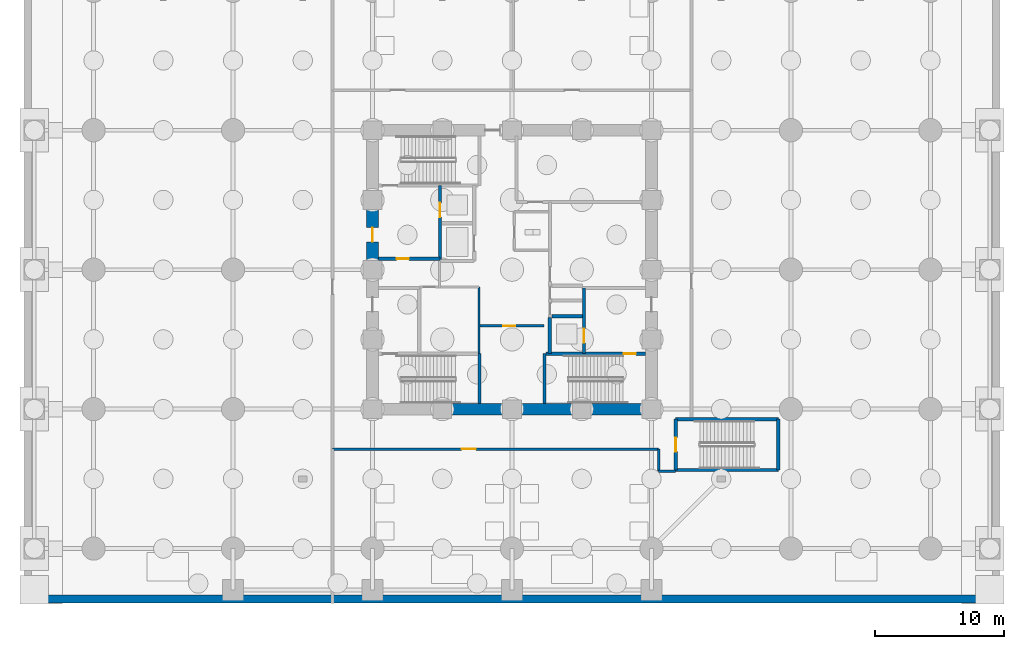
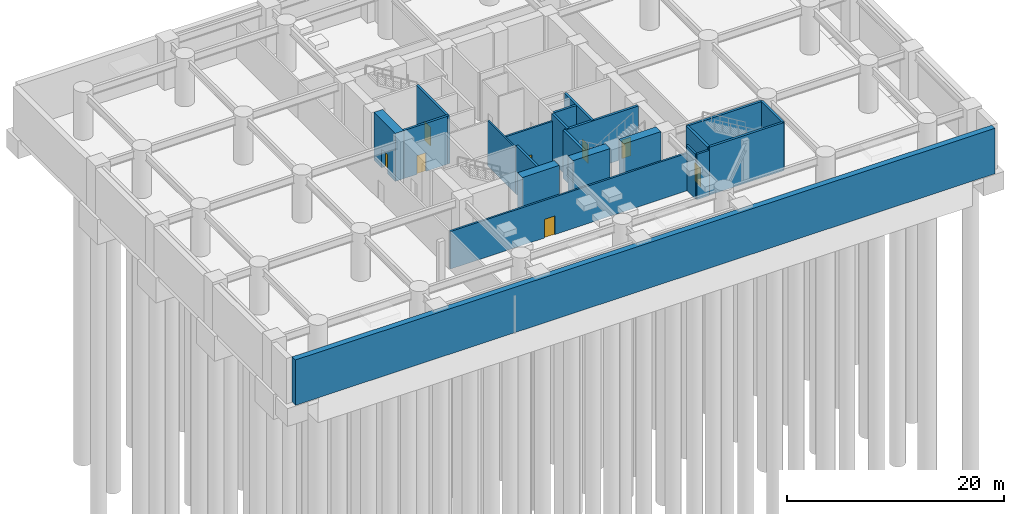
# One storey, part 4 of 9: 22 walls, 8 doors, 8 openings.
"""IFC4 building model written with IfcOpenShell, lengths in metres."""

from ifc_helpers import new_model, si_unit, direction, frame, frame_2d, origin, place, context, subcontext, project, spatial, rectangle, extrude, material, layer, layer_set, type_object, element, fill, save


model = new_model("IFC4")

# Units and contexts
model_context = context("Model", 3, precision=1e-05, world=origin(), true_north=direction((0.0, 1.0)))
body_context = subcontext(model_context, "Body", "Model", "MODEL_VIEW")
ifc_project = project(units=[si_unit("LENGTHUNIT", "METRE"), si_unit("AREAUNIT", "SQUARE_METRE"), si_unit("VOLUMEUNIT", "CUBIC_METRE"), si_unit("PLANEANGLEUNIT", "RADIAN"), si_unit("MASSUNIT", "GRAM", prefix="KILO")], contexts=[model_context])

# Site, building, storey
site_placement = place(None, origin())
site = spatial("IfcSite", under=ifc_project, at=site_placement, CompositionType="ELEMENT")
building_placement = place(site_placement, origin())
building = spatial("IfcBuilding", under=site, at=building_placement, Name="Surkhivell Harbour Commons", CompositionType="ELEMENT")
storey_placement = place(building_placement, frame((0.0, 0.0, -5.39990234375)))
storey = spatial("IfcBuildingStorey", under=building, at=storey_placement, Name="B1", CompositionType="ELEMENT", Elevation=-5.39990234375)

# Walls
ifc_material_1 = material(Name="Concrete C80/95", Category="concrete")
ifc_layer_1 = layer(ifc_material_1, 0.89990234375)
ifc_layer_set_1 = layer_set([ifc_layer_1], Name="Concrete C80/95")
wall_type_1 = type_object("IfcWallType", Name="WAL-CORE-900", PredefinedType="SHEAR", material=ifc_layer_set_1)
for number, where, z_axis, x_axis, name in (
    (1, (-4.6650390625, -10.800048828125, 0.0), (0.0, 0.0, 1.0), (1.0, 0.0, 0.0), "B1 Core Shear Wall South 2"),
    (2, (0.735107421875, -10.800048828125, 0.0), (0.0, 0.0, 1.0), (1.0, 0.0, 0.0), "B1 Core Shear Wall South 3"),
):
    element("IfcWall", number, at=place(storey_placement, frame(where, z_axis=z_axis, x_axis=x_axis)), inside=storey, type_object=wall_type_1, Name=name, PredefinedType="SHEAR", context=body_context, shape_type="SweptSolid", body=[
        extrude(rectangle(XDim=3.929931640625, YDim=0.89990234375, at=frame_2d((1.96484375, 0.0))), origin(), (0.0, 0.0, 1.0), 5.39990234375),
    ])

# Wall, opening, door
wall_1_placement = place(storey_placement, frame((-10.800048828125, 0.735107421875, 0.0), z_axis=(0.0, 0.0, 1.0), x_axis=(0.0, 1.0, 0.0)))
wall_1 = element("IfcWall", 3, at=wall_1_placement, inside=storey, type_object=wall_type_1, Name="B1 Core Shear Wall West 3", PredefinedType="SHEAR", context=body_context, shape_type="SweptSolid", body=[
    extrude(rectangle(XDim=3.929931640625, YDim=0.89990234375, at=frame_2d((1.96484375, 0.0))), origin(), (0.0, 0.0, 1.0), 5.39990234375),
])
opening_1_placement = place(wall_1_placement, frame((1.4150390625, 0.0, 0.0)))
opening_1 = element("IfcOpeningElement", 4, at=opening_1_placement, cuts=wall_1, Name="Opening ID-1", PredefinedType="OPENING", context=body_context, shape_type="SweptSolid", body=[
    extrude(rectangle(XDim=1.10009765625, YDim=2.10009765625, at=frame_2d((0.550048828125, 1.050048828125))), frame((0.0, 0.4599609375, 0.0), z_axis=(0.0, -1.0, 0.0), x_axis=(1.0, 0.0, 0.0)), (0.0, 0.0, 1.0), 0.919921875),
])
ifc_material_2 = material(Name="Hardwood-veneered fire-rated door leaf", Category="wood")
door_type_1 = type_object("IfcDoorType", Name="DOR-FD120-1100", OperationType="NOTDEFINED", PredefinedType="DOOR", material=ifc_material_2)
door_1_placement = place(opening_1_placement, origin())
door_1 = element("IfcDoor", 5, at=door_1_placement, inside=storey, type_object=door_type_1, Name="B1 Firefighting Lobby 1 Corridor Door", OperationType="SINGLE_SWING_LEFT", OverallHeight=2.10009765625, OverallWidth=1.10009765625, PredefinedType="DOOR", context=body_context, shape_type="SweptSolid", body=[
    extrude(rectangle(XDim=1.10009765625, YDim=2.10009765625, at=frame_2d((0.550048828125, 1.050048828125))), frame((0.0, 0.02490234375, 0.0), z_axis=(0.0, -1.0, 0.0), x_axis=(1.0, 0.0, 0.0)), (0.0, 0.0, 1.0), 0.050048828125),
])
fill(opening_1, door_1)

# Walls
wall_2_placement = place(storey_placement, frame((6.135009765625, -10.800048828125, 0.0), z_axis=(0.0, 0.0, 1.0), x_axis=(1.0, 0.0, 0.0)))
element("IfcWall", 6, at=wall_2_placement, inside=storey, type_object=wall_type_1, Name="B1 Core Shear Wall South 4", PredefinedType="SHEAR", context=body_context, shape_type="SweptSolid", body=[
    extrude(rectangle(XDim=3.929931640625, YDim=0.89990234375, at=frame_2d((1.96484375, 0.0))), origin(), (0.0, 0.0, 1.0), 5.39990234375),
])
ifc_material_3 = material(Name="High-density acoustic blockwork fire partition", Category="masonry")
ifc_layer_2 = layer(ifc_material_3, 0.175048828125)
ifc_layer_set_2 = layer_set([ifc_layer_2], Name="High-density acoustic blockwork fire partition")
wall_type_2 = type_object("IfcWallType", Name="WAL-INT-175", PredefinedType="PARTITIONING", material=ifc_layer_set_2)
wall_3_placement = place(storey_placement, frame((-2.550048828125, -6.510009765625, 0.0), z_axis=(0.0, 0.0, 1.0), x_axis=(0.0, 1.0, 0.0)))
element("IfcWall", 7, at=wall_3_placement, inside=storey, type_object=wall_type_2, Name="B1 Core Service Bay East Wall", PredefinedType="PARTITIONING", context=body_context, shape_type="SweptSolid", body=[
    extrude(rectangle(XDim=5.159912109375, YDim=0.175048828125, at=frame_2d((2.580078125, 0.0))), origin(), (0.0, 0.0, 1.0), 5.099853515625),
])

# Wall, opening, door
ifc_material_4 = material(Name="Autoclaved aerated concrete blockwork and fire plaster", Category="masonry")
ifc_layer_3 = layer(ifc_material_4, 0.199951171875)
ifc_layer_set_3 = layer_set([ifc_layer_3], Name="Autoclaved aerated concrete blockwork and fire plaster")
wall_type_3 = type_object("IfcWallType", Name="WAL-INT-200", PredefinedType="PARTITIONING", material=ifc_layer_set_3)
wall_4_placement = place(storey_placement, frame((-2.47998046875, -4.35009765625, 0.0), z_axis=(0.0, 0.0, 1.0), x_axis=(1.0, 0.0, 0.0)))
wall_4 = element("IfcWall", 8, at=wall_4_placement, inside=storey, type_object=wall_type_3, Name="B1 Core Maintenance Store North Wall", PredefinedType="PARTITIONING", context=body_context, shape_type="SweptSolid", body=[
    extrude(rectangle(XDim=4.9599609375, YDim=0.199951171875, at=frame_2d((2.47998046875, 0.0))), origin(), (0.0, 0.0, 1.0), 5.099853515625),
])
opening_2_placement = place(wall_4_placement, frame((1.800048828125, 0.0, 0.0)))
opening_2 = element("IfcOpeningElement", 9, at=opening_2_placement, cuts=wall_4, Name="Opening ID-4", PredefinedType="OPENING", context=body_context, shape_type="SweptSolid", body=[
    extrude(rectangle(XDim=0.949951171875, YDim=2.10009765625, at=frame_2d((0.47509765625, 1.050048828125))), frame((0.0, 0.10986328125, 0.0), z_axis=(0.0, -1.0, 0.0), x_axis=(1.0, 0.0, 0.0)), (0.0, 0.0, 1.0), 0.219970703125),
])
door_type_2 = type_object("IfcDoorType", Name="DOR-FD60-950", OperationType="NOTDEFINED", PredefinedType="DOOR", material=ifc_material_2)
door_2_placement = place(opening_2_placement, origin())
door_2 = element("IfcDoor", 10, at=door_2_placement, inside=storey, type_object=door_type_2, Name="B1 Maintenance Store Door", OperationType="SINGLE_SWING_LEFT", OverallHeight=2.10009765625, OverallWidth=0.949951171875, PredefinedType="DOOR", context=body_context, shape_type="SweptSolid", body=[
    extrude(rectangle(XDim=0.949951171875, YDim=2.10009765625, at=frame_2d((0.47509765625, 1.050048828125))), frame((0.0, 0.02490234375, 0.0), z_axis=(0.0, -1.0, 0.0), x_axis=(1.0, 0.0, 0.0)), (0.0, 0.0, 1.0), 0.050048828125),
])
fill(opening_2, door_2)

wall_5_placement = place(storey_placement, frame((-13.89990234375, -13.89990234375, 0.0), z_axis=(0.0, 0.0, 1.0), x_axis=(1.0, 0.0, 0.0)))
wall_5 = element("IfcWall", 11, at=wall_5_placement, inside=storey, type_object=wall_type_3, Name="B1 Corridor South Wall", PredefinedType="PARTITIONING", context=body_context, shape_type="SweptSolid", body=[
    extrude(rectangle(XDim=25.25, YDim=0.199951171875, at=frame_2d((12.625, 0.0))), origin(), (0.0, 0.0, 1.0), 4.22900390625),
])
opening_3_placement = place(wall_5_placement, frame((10.0, 0.0, 0.0)))
opening_3 = element("IfcOpeningElement", 12, at=opening_3_placement, cuts=wall_5, Name="Opening ID-2", PredefinedType="OPENING", context=body_context, shape_type="SweptSolid", body=[
    extrude(rectangle(XDim=1.10009765625, YDim=2.10009765625, at=frame_2d((0.550048828125, 1.050048828125))), frame((0.0, 0.10986328125, 0.0), z_axis=(0.0, -1.0, 0.0), x_axis=(1.0, 0.0, 0.0)), (0.0, 0.0, 1.0), 0.219970703125),
])
door_type_3 = type_object("IfcDoorType", Name="DOR-FD60-1100", OperationType="NOTDEFINED", PredefinedType="DOOR", material=ifc_material_2)
door_3_placement = place(opening_3_placement, origin())
door_3 = element("IfcDoor", 13, at=door_3_placement, inside=storey, type_object=door_type_3, Name="B1 Basement Ventilation and AHU Plant Room Door", OperationType="SINGLE_SWING_RIGHT", OverallHeight=2.10009765625, OverallWidth=1.10009765625, PredefinedType="DOOR", context=body_context, shape_type="SweptSolid", body=[
    extrude(rectangle(XDim=1.10009765625, YDim=2.10009765625, at=frame_2d((0.550048828125, 1.050048828125))), frame((0.0, 0.02490234375, 0.0), z_axis=(0.0, -1.0, 0.0), x_axis=(1.0, 0.0, 0.0)), (0.0, 0.0, 1.0), 0.050048828125),
])
fill(opening_3, door_3)

# Walls
wall_6_placement = place(storey_placement, frame((11.35009765625, -15.60009765625, 0.0), z_axis=(0.0, 0.0, 1.0), x_axis=(1.0, 0.0, 0.0)))
element("IfcWall", 14, at=wall_6_placement, inside=storey, type_object=wall_type_3, Name="B1 Stair ST4 Corridor South Wall", PredefinedType="PARTITIONING", context=body_context, shape_type="SweptSolid", body=[
    extrude(rectangle(XDim=1.329833984375, YDim=0.199951171875, at=frame_2d((0.6650390625, 0.0))), origin(), (0.0, 0.0, 1.0), 5.099853515625),
])
wall_7_placement = place(storey_placement, frame((11.35009765625, -15.60009765625, 0.0), z_axis=(0.0, 0.0, 1.0), x_axis=(0.0, 1.0, 0.0)))
element("IfcWall", 15, at=wall_7_placement, inside=storey, type_object=wall_type_3, Name="B1 Stair ST4 Corridor West Wall", PredefinedType="PARTITIONING", context=body_context, shape_type="SweptSolid", body=[
    extrude(rectangle(XDim=1.7001953125, YDim=0.199951171875, at=frame_2d((0.85009765625, 0.0))), origin(), (0.0, 0.0, 1.0), 5.099853515625),
])
ifc_material_5 = material(Name="Concrete C50/60", Category="concrete")
ifc_layer_4 = layer(ifc_material_5, 0.60009765625)
ifc_layer_set_4 = layer_set([ifc_layer_4], Name="Concrete C50/60")
wall_type_4 = type_object("IfcWallType", Name="WAL-RET-600", PredefinedType="SOLIDWALL", material=ifc_layer_set_4)
wall_8_placement = place(storey_placement, frame((-37.199951171875, -25.5, 0.0), z_axis=(0.0, 0.0, 1.0), x_axis=(1.0, 0.0, 0.0)))
element("IfcWall", 16, at=wall_8_placement, inside=storey, type_object=wall_type_4, Name="B1 Perimeter RC Retaining Wall S", PredefinedType="SOLIDWALL", context=body_context, shape_type="SweptSolid", body=[
    extrude(rectangle(XDim=74.39990234375, YDim=0.60009765625, at=frame_2d((37.199951171875, 0.0))), origin(), (0.0, 0.0, 1.0), 5.099853515625),
])

# Wall, opening, door
ifc_layer_5 = layer(ifc_material_5, 0.25)
ifc_layer_set_5 = layer_set([ifc_layer_5], Name="Concrete C50/60")
wall_type_5 = type_object("IfcWallType", Name="WAL-SHAFT-250", PredefinedType="SHEAR", material=ifc_layer_set_5)
wall_9_placement = place(storey_placement, frame((-5.580078125, 0.719970703125, 0.0), z_axis=(0.0, 0.0, 1.0), x_axis=(0.0, 1.0, 0.0)))
wall_9 = element("IfcWall", 17, at=wall_9_placement, inside=storey, type_object=wall_type_5, Name="B1 Firefighting Lobby 1 East Shaft Wall", PredefinedType="SHEAR", context=body_context, shape_type="SweptSolid", body=[
    extrude(rectangle(XDim=5.7900390625, YDim=0.25, at=frame_2d((2.89501953125, 0.0))), origin(), (0.0, 0.0, 1.0), 5.39990234375),
])
opening_4_placement = place(wall_9_placement, frame((3.35009765625, 0.0, 0.0)))
opening_4 = element("IfcOpeningElement", 18, at=opening_4_placement, cuts=wall_9, Name="Opening LD-1", PredefinedType="OPENING", context=body_context, shape_type="SweptSolid", body=[
    extrude(rectangle(XDim=1.10009765625, YDim=2.10009765625, at=frame_2d((0.550048828125, 1.050048828125))), frame((0.0, 0.135009765625, 0.0), z_axis=(0.0, -1.0, 0.0), x_axis=(1.0, 0.0, 0.0)), (0.0, 0.0, 1.0), 0.27001953125),
])
ifc_material_6 = material(Name="Brushed stainless steel S355", Category="steel")
door_type_4 = type_object("IfcDoorType", Name="DOR-LD-1100", OperationType="SLIDING_TO_LEFT", PredefinedType="DOOR", material=ifc_material_6)
door_4_placement = place(opening_4_placement, origin())
door_4 = element("IfcDoor", 19, at=door_4_placement, inside=storey, type_object=door_type_4, Name="B1 Lift Landing Door LD-FFL1", OperationType="SLIDING_TO_LEFT", OverallHeight=2.10009765625, OverallWidth=1.10009765625, PredefinedType="DOOR", context=body_context, shape_type="SweptSolid", body=[
    extrude(rectangle(XDim=1.10009765625, YDim=2.10009765625, at=frame_2d((0.550048828125, 1.050048828125))), frame((0.0, 0.02490234375, 0.0), z_axis=(0.0, -1.0, 0.0), x_axis=(1.0, 0.0, 0.0)), (0.0, 0.0, 1.0), 0.050048828125),
])
fill(opening_4, door_4)

wall_10_placement = place(storey_placement, frame((-10.340087890625, 0.85009765625, 0.0), z_axis=(0.0, 0.0, 1.0), x_axis=(1.0, 0.0, 0.0)))
wall_10 = element("IfcWall", 20, at=wall_10_placement, inside=storey, type_object=wall_type_5, Name="B1 Firefighting Lobby 1 South Wall", PredefinedType="SHEAR", context=body_context, shape_type="SweptSolid", body=[
    extrude(rectangle(XDim=4.760009765625, YDim=0.25, at=frame_2d((2.3798828125, 0.0))), origin(), (0.0, 0.0, 1.0), 5.39990234375),
])
opening_5_placement = place(wall_10_placement, frame((1.39990234375, 0.0, 0.0)))
opening_5 = element("IfcOpeningElement", 21, at=opening_5_placement, cuts=wall_10, Name="Opening ID-4", PredefinedType="OPENING", context=body_context, shape_type="SweptSolid", body=[
    extrude(rectangle(XDim=0.949951171875, YDim=2.10009765625, at=frame_2d((0.47509765625, 1.050048828125))), frame((0.0, 0.135009765625, 0.0), z_axis=(0.0, -1.0, 0.0), x_axis=(1.0, 0.0, 0.0)), (0.0, 0.0, 1.0), 0.27001953125),
])
door_5_placement = place(opening_5_placement, origin())
door_5 = element("IfcDoor", 22, at=door_5_placement, inside=storey, type_object=door_type_2, Name="B1 Core BMS Room Door", OperationType="SINGLE_SWING_RIGHT", OverallHeight=2.10009765625, OverallWidth=0.949951171875, PredefinedType="DOOR", context=body_context, shape_type="SweptSolid", body=[
    extrude(rectangle(XDim=0.949951171875, YDim=2.10009765625, at=frame_2d((0.47509765625, 1.050048828125))), frame((0.0, 0.02490234375, 0.0), z_axis=(0.0, -1.0, 0.0), x_axis=(1.0, 0.0, 0.0)), (0.0, 0.0, 1.0), 0.050048828125),
])
fill(opening_5, door_5)

# Walls
wall_11_placement = place(storey_placement, frame((2.929931640625, -6.510009765625, 0.0), z_axis=(0.0, 0.0, 1.0), x_axis=(0.0, 1.0, 0.0)))
element("IfcWall", 23, at=wall_11_placement, inside=storey, type_object=wall_type_5, Name="B1 FFL2 West Shaft Wall", PredefinedType="SHEAR", context=body_context, shape_type="SweptSolid", body=[
    extrude(rectangle(XDim=2.7900390625, YDim=0.25, at=frame_2d((1.39501953125, 0.0))), origin(), (0.0, 0.0, 1.0), 5.39990234375),
])
wall_12_placement = place(storey_placement, frame((3.080078125, -3.60009765625, 0.0), z_axis=(0.0, 0.0, 1.0), x_axis=(1.0, 0.0, 0.0)))
element("IfcWall", 24, at=wall_12_placement, inside=storey, type_object=wall_type_5, Name="B1 FFL2 North Shaft Wall", PredefinedType="SHEAR", context=body_context, shape_type="SweptSolid", body=[
    extrude(rectangle(XDim=2.369873046875, YDim=0.25, at=frame_2d((1.18505859375, 0.0))), origin(), (0.0, 0.0, 1.0), 5.39990234375),
])

# Wall, opening, door
wall_13_placement = place(storey_placement, frame((5.580078125, -6.510009765625, 0.0), z_axis=(0.0, 0.0, 1.0), x_axis=(0.0, 1.0, 0.0)))
wall_13 = element("IfcWall", 25, at=wall_13_placement, inside=storey, type_object=wall_type_5, Name="B1 Firefighting Lobby 2 West Shaft Wall", PredefinedType="SHEAR", context=body_context, shape_type="SweptSolid", body=[
    extrude(rectangle(XDim=5.090087890625, YDim=0.25, at=frame_2d((2.544921875, 0.0))), origin(), (0.0, 0.0, 1.0), 5.39990234375),
])
opening_6_placement = place(wall_13_placement, frame((0.85009765625, 0.0, 0.0)))
opening_6 = element("IfcOpeningElement", 26, at=opening_6_placement, cuts=wall_13, Name="Opening LD-1", PredefinedType="OPENING", context=body_context, shape_type="SweptSolid", body=[
    extrude(rectangle(XDim=1.10009765625, YDim=2.10009765625, at=frame_2d((0.550048828125, 1.050048828125))), frame((0.0, 0.135009765625, 0.0), z_axis=(0.0, -1.0, 0.0), x_axis=(1.0, 0.0, 0.0)), (0.0, 0.0, 1.0), 0.27001953125),
])
door_6_placement = place(opening_6_placement, origin())
door_6 = element("IfcDoor", 27, at=door_6_placement, inside=storey, type_object=door_type_4, Name="B1 Lift Landing Door LD-FFL2", OperationType="SLIDING_TO_RIGHT", OverallHeight=2.10009765625, OverallWidth=1.10009765625, PredefinedType="DOOR", context=body_context, shape_type="SweptSolid", body=[
    extrude(rectangle(XDim=1.10009765625, YDim=2.10009765625, at=frame_2d((0.550048828125, 1.050048828125))), frame((0.0, 0.02490234375, 0.0), z_axis=(0.0, -1.0, 0.0), x_axis=(1.0, 0.0, 0.0)), (0.0, 0.0, 1.0), 0.050048828125),
])
fill(opening_6, door_6)

wall_14_placement = place(storey_placement, frame((2.639892578125, -6.510009765625, 0.0), z_axis=(0.0, 0.0, 1.0), x_axis=(1.0, 0.0, 0.0)))
wall_14 = element("IfcWall", 28, at=wall_14_placement, inside=storey, type_object=wall_type_5, Name="B1 Stair ST2 North Shear Wall", PredefinedType="SHEAR", context=body_context, shape_type="SweptSolid", body=[
    extrude(rectangle(XDim=7.7001953125, YDim=0.25, at=frame_2d((3.85009765625, 0.0))), origin(), (0.0, 0.0, 1.0), 5.39990234375),
])
opening_7_placement = place(wall_14_placement, frame((6.0, 0.0, 0.0)))
opening_7 = element("IfcOpeningElement", 29, at=opening_7_placement, cuts=wall_14, Name="Opening ID-4", PredefinedType="OPENING", context=body_context, shape_type="SweptSolid", body=[
    extrude(rectangle(XDim=0.949951171875, YDim=2.10009765625, at=frame_2d((0.47509765625, 1.050048828125))), frame((0.0, 0.135009765625, 0.0), z_axis=(0.0, -1.0, 0.0), x_axis=(1.0, 0.0, 0.0)), (0.0, 0.0, 1.0), 0.27001953125),
])
door_7_placement = place(opening_7_placement, origin())
door_7 = element("IfcDoor", 30, at=door_7_placement, inside=storey, type_object=door_type_2, Name="B1 Stair ST2 Exit Door", OperationType="SINGLE_SWING_RIGHT", OverallHeight=2.10009765625, OverallWidth=0.949951171875, PredefinedType="DOOR", context=body_context, shape_type="SweptSolid", body=[
    extrude(rectangle(XDim=0.949951171875, YDim=2.10009765625, at=frame_2d((0.47509765625, 1.050048828125))), frame((0.0, 0.02490234375, 0.0), z_axis=(0.0, -1.0, 0.0), x_axis=(1.0, 0.0, 0.0)), (0.0, 0.0, 1.0), 0.050048828125),
])
fill(opening_7, door_7)

# Walls
for number, where, z_axis, x_axis, name in (
    (31, (2.510009765625, -10.35009765625, 0.0), (0.0, 0.0, 1.0), (0.0, 1.0, 0.0), "B1 Stair ST2 West Shear Wall"),
    (32, (-2.510009765625, -10.35009765625, 0.0), (0.0, 0.0, 1.0), (0.0, 1.0, 0.0), "B1 Stair ST3 East Shear Wall"),
):
    element("IfcWall", number, at=place(storey_placement, frame(where, z_axis=z_axis, x_axis=x_axis)), inside=storey, type_object=wall_type_5, Name=name, PredefinedType="SHEAR", context=body_context, shape_type="SweptSolid", body=[
        extrude(rectangle(XDim=3.840087890625, YDim=0.25, at=frame_2d((1.919921875, 0.0))), origin(), (0.0, 0.0, 1.0), 5.39990234375),
    ])
wall_15_placement = place(storey_placement, frame((20.6201171875, -15.52001953125, 0.0), z_axis=(0.0, 0.0, 1.0), x_axis=(0.0, 1.0, 0.0)))
element("IfcWall", 33, at=wall_15_placement, inside=storey, type_object=wall_type_5, Name="B1 Stair ST4 East Shear Wall", PredefinedType="SHEAR", context=body_context, shape_type="SweptSolid", body=[
    extrude(rectangle(XDim=3.93994140625, YDim=0.25, at=frame_2d((1.969970703125, 0.0))), origin(), (0.0, 0.0, 1.0), 5.39990234375),
])
for number, where, z_axis, x_axis, name in (
    (34, (12.679931640625, -11.580078125, 0.0), (0.0, 0.0, 1.0), (1.0, 0.0, 0.0), "B1 Stair ST4 North Shear Wall"),
    (35, (12.679931640625, -15.52001953125, 0.0), (0.0, 0.0, 1.0), (1.0, 0.0, 0.0), "B1 Stair ST4 South Shear Wall"),
):
    element("IfcWall", number, at=place(storey_placement, frame(where, z_axis=z_axis, x_axis=x_axis)), inside=storey, type_object=wall_type_5, Name=name, PredefinedType="SHEAR", context=body_context, shape_type="SweptSolid", body=[
        extrude(rectangle(XDim=7.940185546875, YDim=0.25, at=frame_2d((3.97021484375, 0.0))), origin(), (0.0, 0.0, 1.0), 5.39990234375),
    ])

# Wall, opening, door
wall_16_placement = place(storey_placement, frame((12.679931640625, -15.52001953125, 0.0), z_axis=(0.0, 0.0, 1.0), x_axis=(0.0, 1.0, 0.0)))
wall_16 = element("IfcWall", 36, at=wall_16_placement, inside=storey, type_object=wall_type_5, Name="B1 Stair ST4 West Shear Wall", PredefinedType="SHEAR", context=body_context, shape_type="SweptSolid", body=[
    extrude(rectangle(XDim=3.93994140625, YDim=0.25, at=frame_2d((1.969970703125, 0.0))), origin(), (0.0, 0.0, 1.0), 5.39990234375),
])
opening_8_placement = place(wall_16_placement, frame((1.419921875, 0.0, 0.0)))
opening_8 = element("IfcOpeningElement", 37, at=opening_8_placement, cuts=wall_16, Name="Opening ID-2", PredefinedType="OPENING", context=body_context, shape_type="SweptSolid", body=[
    extrude(rectangle(XDim=1.10009765625, YDim=2.10009765625, at=frame_2d((0.550048828125, 1.050048828125))), frame((0.0, 0.135009765625, 0.0), z_axis=(0.0, -1.0, 0.0), x_axis=(1.0, 0.0, 0.0)), (0.0, 0.0, 1.0), 0.27001953125),
])
door_8_placement = place(opening_8_placement, origin())
door_8 = element("IfcDoor", 38, at=door_8_placement, inside=storey, type_object=door_type_3, Name="B1 Podium Stair ST4 Exit Door", OperationType="SINGLE_SWING_LEFT", OverallHeight=2.10009765625, OverallWidth=1.10009765625, PredefinedType="DOOR", context=body_context, shape_type="SweptSolid", body=[
    extrude(rectangle(XDim=1.10009765625, YDim=2.10009765625, at=frame_2d((0.550048828125, 1.050048828125))), frame((0.0, 0.02490234375, 0.0), z_axis=(0.0, -1.0, 0.0), x_axis=(1.0, 0.0, 0.0)), (0.0, 0.0, 1.0), 0.050048828125),
])
fill(opening_8, door_8)

save(model, "model.ifc")
